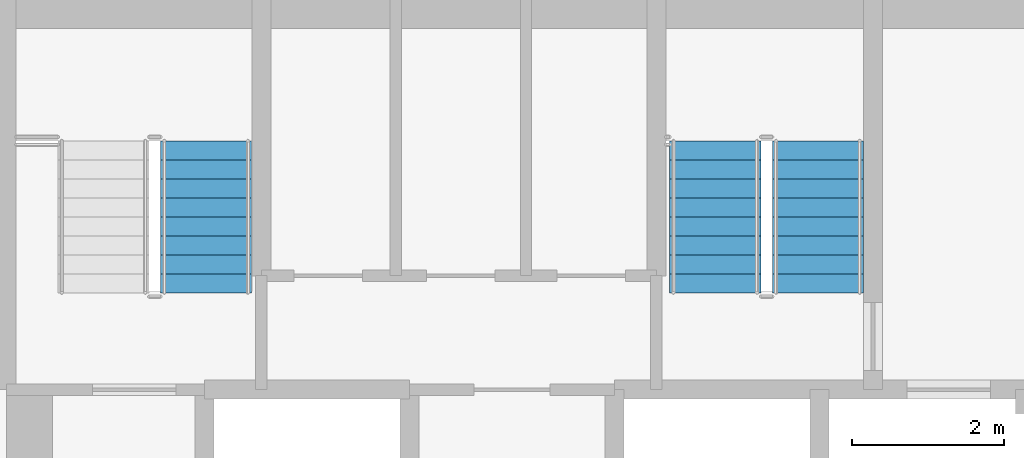
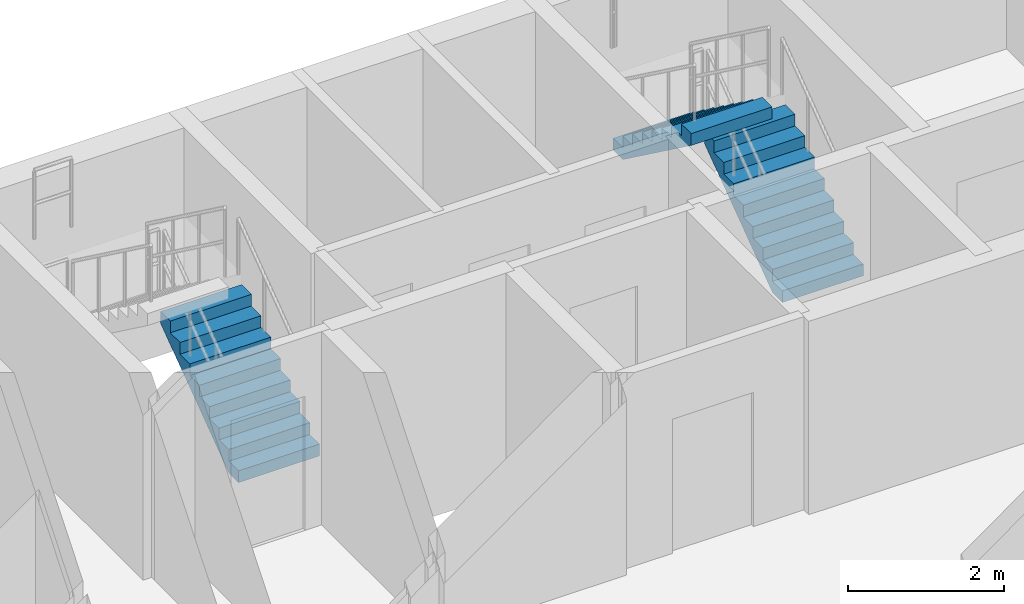
# One storey, part 9 of 16: 3 stair flights, 2 elements without a shape of their own.
"""IFC4 building model written with IfcOpenShell, lengths in metres."""

from ifc_helpers import new_model, si_unit, direction, frame, origin, place, context, subcontext, project, spatial, polyline, outline, extrude, material, type_object, element, aggregate, save


model = new_model("IFC4")

# Units and contexts
model_context = context("Model", 3, precision=1e-05, world=origin(), true_north=direction((0.0, 1.0)))
body_context = subcontext(model_context, "Body", "Model", "MODEL_VIEW")
ifc_project = project(units=[si_unit("LENGTHUNIT", "METRE"), si_unit("AREAUNIT", "SQUARE_METRE"), si_unit("VOLUMEUNIT", "CUBIC_METRE"), si_unit("PLANEANGLEUNIT", "RADIAN"), si_unit("MASSUNIT", "GRAM", prefix="KILO")], contexts=[model_context])

# Site, building, storey
site_placement = place(None, origin())
site = spatial("IfcSite", under=ifc_project, at=site_placement, CompositionType="ELEMENT")
building_placement = place(site_placement, origin())
building = spatial("IfcBuilding", under=site, at=building_placement, Name="Nakaniwa Court", CompositionType="ELEMENT")
storey_placement = place(building_placement, frame((0.0, 0.0, 226.199951171875)))
storey = spatial("IfcBuildingStorey", under=building, at=storey_placement, Name="L58", CompositionType="ELEMENT", Elevation=226.199951171875)

# Stair, stair flight
ifc_material = material(Name="Concrete C80/100", Category="concrete")
stair_type = type_object("IfcStairType", Name="Dog leg stair 1200 wide 18 risers", PredefinedType="HALF_TURN_STAIR", material=ifc_material)
stair_1_placement = place(storey_placement, origin())
stair_1 = element("IfcStair", 1, at=stair_1_placement, inside=storey, type_object=stair_type, Name="L58 Stair ST1", PredefinedType="HALF_TURN_STAIR")
stair_flight_type = type_object("IfcStairFlightType", Name="Stair flight 1200 wide 9 risers", PredefinedType="STRAIGHT", material=ifc_material)
stair_flight_1_placement = place(storey_placement, frame((74.625, 98.175048828125, 0.0), z_axis=(0.0, 0.0, 1.0), x_axis=(0.0, 1.0, 0.0)))
stair_flight_1 = element("IfcStairFlight", 2, at=stair_flight_1_placement, type_object=stair_flight_type, Name="ST1 flight 1", NumberOfRisers=9, NumberOfTreads=8, PredefinedType="STRAIGHT", RiserHeight=0.183333333, TreadLength=0.25, context=body_context, shape_type="SweptSolid", body=[
    extrude(outline(polyline([(0.0, 0.0), (0.0, 0.026123046875), (0.0, 0.052490234375), (0.0, 0.07861328125), (0.0, 0.104736328125), (0.0, 0.130859375), (0.0, 0.1572265625), (0.0, 0.183349609375), (0.25, 0.183349609375), (0.25, 0.36669921875), (0.5, 0.36669921875), (0.5, 0.550048828125), (0.75, 0.550048828125), (0.75, 0.7333984375), (1.0, 0.7333984375), (1.0, 0.916748046875), (1.25, 0.916748046875), (1.25, 1.10009765625), (1.5, 1.10009765625), (1.5, 1.283447265625), (1.75, 1.283447265625), (1.75, 1.466552734375), (2.0, 1.466552734375), (2.0, 1.64990234375), (2.0, 1.59716796875), (2.0, 1.54443359375), (2.0, 1.49169921875), (2.0, 1.43896484375), (2.0, 1.38623046875), (2.0, 1.33349609375), (2.0, 1.28076171875), (0.25341796875, 0.0), (0.0, 0.0)])), frame((0.0, 0.60009765625, 0.0), z_axis=(0.0, -1.0, 0.0), x_axis=(1.0, 0.0, 0.0)), (0.0, 0.0, 1.0), 1.199951171875),
])
aggregate(stair_1, [stair_flight_1])

# Stair, stair flights
stair_2_placement = place(storey_placement, origin())
stair_2 = element("IfcStair", 3, at=stair_2_placement, inside=storey, type_object=stair_type, Name="L58 Stair ST2", PredefinedType="HALF_TURN_STAIR")
stair_flight_2_placement = place(storey_placement, frame((82.675048828125, 98.175048828125, 0.0), z_axis=(0.0, 0.0, 1.0), x_axis=(0.0, 1.0, 0.0)))
stair_flight_2 = element("IfcStairFlight", 4, at=stair_flight_2_placement, type_object=stair_flight_type, Name="ST2 flight 1", NumberOfRisers=9, NumberOfTreads=8, PredefinedType="STRAIGHT", RiserHeight=0.183333333, TreadLength=0.25, context=body_context, shape_type="SweptSolid", body=[
    extrude(outline(polyline([(0.0, 0.0), (0.0, 0.026123046875), (0.0, 0.052490234375), (0.0, 0.07861328125), (0.0, 0.104736328125), (0.0, 0.130859375), (0.0, 0.1572265625), (0.0, 0.183349609375), (0.25, 0.183349609375), (0.25, 0.36669921875), (0.5, 0.36669921875), (0.5, 0.550048828125), (0.75, 0.550048828125), (0.75, 0.7333984375), (1.0, 0.7333984375), (1.0, 0.916748046875), (1.25, 0.916748046875), (1.25, 1.10009765625), (1.5, 1.10009765625), (1.5, 1.283447265625), (1.75, 1.283447265625), (1.75, 1.466552734375), (2.0, 1.466552734375), (2.0, 1.64990234375), (2.0, 1.59716796875), (2.0, 1.54443359375), (2.0, 1.49169921875), (2.0, 1.43896484375), (2.0, 1.38623046875), (2.0, 1.33349609375), (2.0, 1.28076171875), (0.25341796875, 0.0), (0.0, 0.0)])), frame((0.0, 0.60009765625, 0.0), z_axis=(0.0, -1.0, 0.0), x_axis=(1.0, 0.0, 0.0)), (0.0, 0.0, 1.0), 1.199951171875),
])
stair_flight_3_placement = place(storey_placement, frame((81.324951171875, 100.175048828125, 1.650146484375), z_axis=(0.0, 0.0, 1.0), x_axis=(0.0, -1.0, 0.0)))
stair_flight_3 = element("IfcStairFlight", 5, at=stair_flight_3_placement, type_object=stair_flight_type, Name="ST2 flight 2", NumberOfRisers=9, NumberOfTreads=8, PredefinedType="STRAIGHT", RiserHeight=0.183333333, TreadLength=0.25, context=body_context, shape_type="SweptSolid", body=[
    extrude(outline(polyline([(0.0, 0.0), (0.0, 0.026123046875), (0.0, 0.052490234375), (0.0, 0.07861328125), (0.0, 0.104736328125), (0.0, 0.130859375), (0.0, 0.1572265625), (0.0, 0.183349609375), (0.25, 0.183349609375), (0.25, 0.36669921875), (0.5, 0.36669921875), (0.5, 0.550048828125), (0.75, 0.550048828125), (0.75, 0.7333984375), (1.0, 0.7333984375), (1.0, 0.916748046875), (1.25, 0.916748046875), (1.25, 1.10009765625), (1.5, 1.10009765625), (1.5, 1.283447265625), (1.75, 1.283447265625), (1.75, 1.466552734375), (2.0, 1.466552734375), (2.0, 1.64990234375), (2.0, 1.59716796875), (2.0, 1.54443359375), (2.0, 1.49169921875), (2.0, 1.43896484375), (2.0, 1.38623046875), (2.0, 1.33349609375), (2.0, 1.28076171875), (0.25341796875, 0.0), (0.0, 0.0)])), frame((0.0, 0.60009765625, 0.0), z_axis=(0.0, -1.0, 0.0), x_axis=(1.0, 0.0, 0.0)), (0.0, 0.0, 1.0), 1.199951171875),
])
aggregate(stair_2, [stair_flight_2, stair_flight_3])

save(model, "model.ifc")
